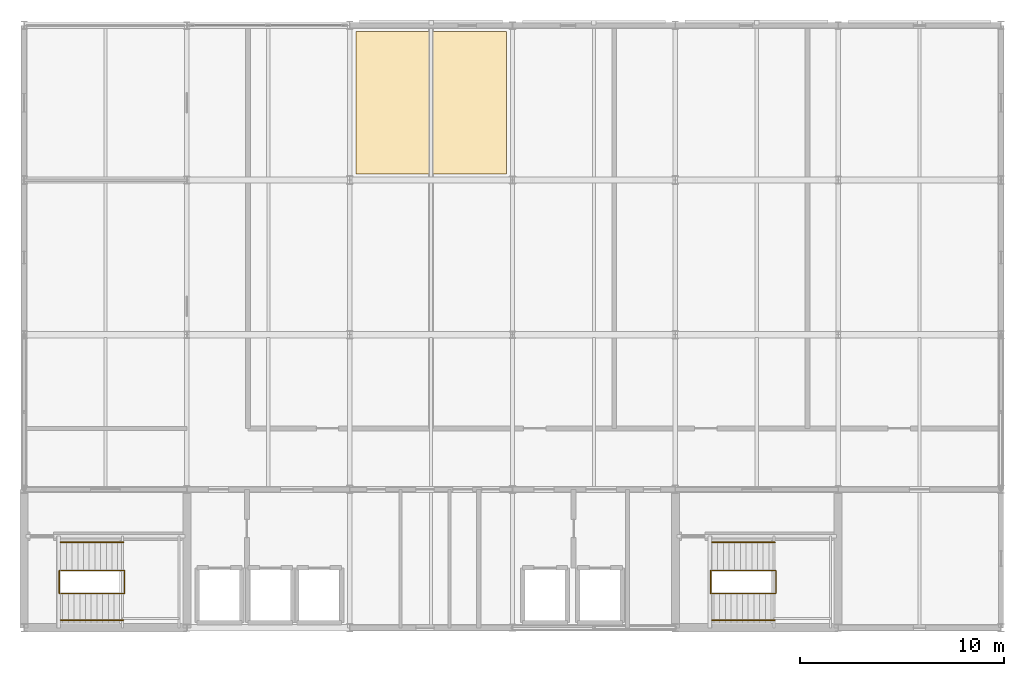
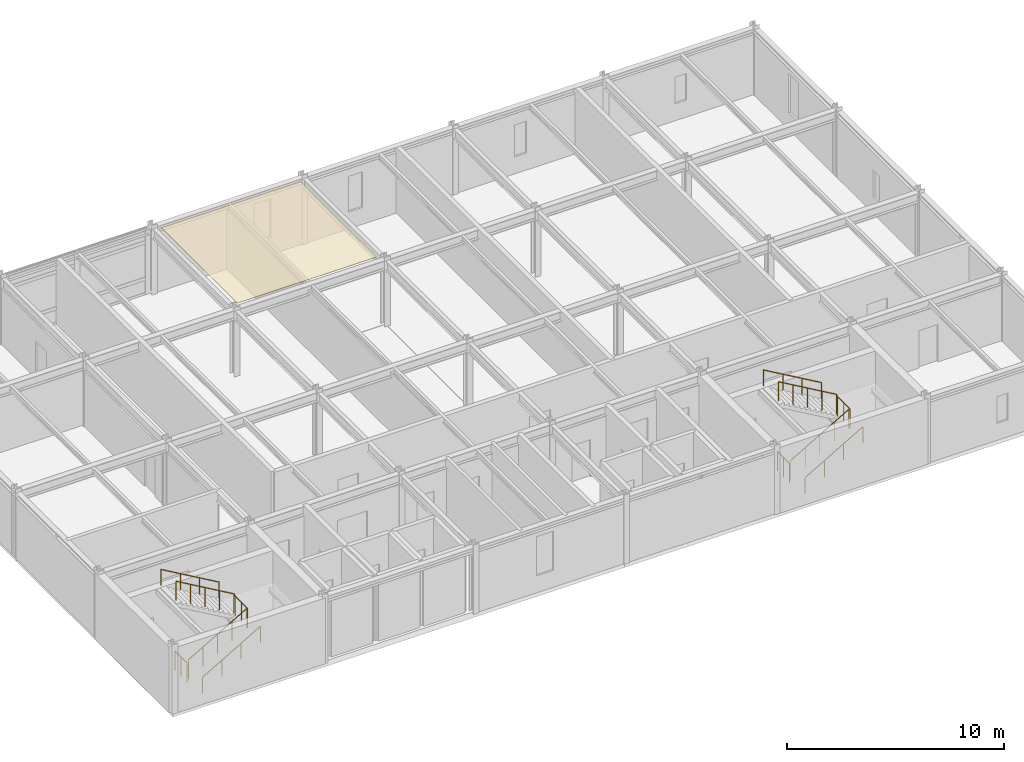
# One storey, part 9 of 9: 8 railings, 1 covering.
"""IFC4 building model written with IfcOpenShell, lengths in metres."""

from ifc_helpers import new_model, si_unit, direction, frame, origin, origin_2d, place, context, subcontext, project, spatial, polyline, circle, outline, extrude, material, layer, layer_set, type_object, element, save


model = new_model("IFC4")

# Units and contexts
model_context = context("Model", 3, precision=1e-05, world=origin(), true_north=direction((0.0, 1.0)))
body_context = subcontext(model_context, "Body", "Model", "MODEL_VIEW")
ifc_project = project(units=[si_unit("LENGTHUNIT", "METRE"), si_unit("AREAUNIT", "SQUARE_METRE"), si_unit("VOLUMEUNIT", "CUBIC_METRE"), si_unit("PLANEANGLEUNIT", "RADIAN"), si_unit("MASSUNIT", "GRAM", prefix="KILO")], contexts=[model_context])

# Site, building, storey
site_placement = place(None, origin())
site = spatial("IfcSite", under=ifc_project, at=site_placement, CompositionType="ELEMENT")
building_placement = place(site_placement, origin())
building = spatial("IfcBuilding", under=site, at=building_placement, Name="Shalkamar Park Central Library", CompositionType="ELEMENT")
storey_placement = place(building_placement, frame((0.0, 0.0, 63.89990234375)))
storey = spatial("IfcBuildingStorey", under=building, at=storey_placement, Name="L16", CompositionType="ELEMENT", Elevation=63.89990234375)

# Covering
ifc_material_1 = material(Name="Acoustic mineral fibre ceiling panel", Category="other")
ifc_layer = layer(ifc_material_1, 0.02490234375)
ifc_layer_set = layer_set([ifc_layer], Name="AcousticMineralCeilingTile")
covering_type = type_object("IfcCoveringType", Name="Acoustic Mineral Ceiling Tile", PredefinedType="CEILING", material=ifc_layer_set)
covering_placement = place(storey_placement, frame((0.0, 0.0, 3.675048828125)))
element("IfcCovering", 1, at=covering_placement, inside=storey, type_object=covering_type, Name="Acoustic Reading Ceiling Panel L16", PredefinedType="CEILING", context=body_context, shape_type="SweptSolid", body=[
    extrude(outline(polyline([(181.300048828125, 270.699951171875), (188.699951171875, 270.699951171875), (188.699951171875, 277.699951171875), (181.300048828125, 277.699951171875), (181.300048828125, 270.699951171875)])), origin(), (0.0, 0.0, 1.0), 0.025146484375),
])

# Railings
ifc_material_2 = material(Name="Steel S355", Category="steel")
railing_type_1 = type_object("IfcRailingType", Name="Stair Guardrail 1100", PredefinedType="GUARDRAIL", material=ifc_material_2)
railing_1_placement = place(storey_placement, frame((166.800048828125, 250.090087890625, 0.16259765625)))
element("IfcRailing", 2, at=railing_1_placement, inside=storey, type_object=railing_type_1, Name="Stair Inner Well Guardrail ST-T1-L16", PredefinedType="GUARDRAIL", context=body_context, shape_type="SweptSolid", body=[
    extrude(circle(Radius=0.02392578125, at=origin_2d()), frame((0.0, 0.0, 1.076171875), z_axis=(0.864873446163, 0.0, 0.501989962173), x_axis=(0.0, 1.0, 0.0)), (0.0, 0.0, 1.0), 3.56103515625),
    extrude(circle(Radius=0.02392578125, at=origin_2d()), frame((3.079833984375, 0.0, 2.86376953125), z_axis=(1.0, 0.0, 0.0), x_axis=(0.0, 1.0, 0.0)), (0.0, 0.0, 1.0), 0.06005859375),
    extrude(circle(Radius=0.02392578125, at=origin_2d()), frame((3.139892578125, 0.0, 2.86376953125), z_axis=(0.0, 1.0, 0.0), x_axis=(-1.0, 0.0, 0.0)), (0.0, 0.0, 1.0), 1.119873046875),
    extrude(circle(Radius=0.02392578125, at=origin_2d()), frame((3.139892578125, 1.119873046875, 2.86376953125), z_axis=(-0.346946854775, 0.0, 0.937884790346), x_axis=(0.0, -1.0, 0.0)), (0.0, 0.0, 1.0), 0.173095703125),
    extrude(circle(Radius=0.02392578125, at=origin_2d()), frame((3.079833984375, 1.119873046875, 3.02587890625), z_axis=(-0.864873446163, 0.0, 0.501989962173), x_axis=(0.0, -1.0, 0.0)), (0.0, 0.0, 1.0), 3.56103515625),
    extrude(circle(Radius=0.02099609375, at=origin_2d()), origin(), (0.0, 0.0, 1.0), 1.052001953125),
    extrude(circle(Radius=0.02099609375, at=origin_2d()), frame((0.77001953125, 0.0, 0.44677734375)), (0.0, 0.0, 1.0), 1.052001953125),
    extrude(circle(Radius=0.02099609375, at=origin_2d()), frame((1.5400390625, 0.0, 0.893798828125)), (0.0, 0.0, 1.0), 1.052001953125),
    extrude(circle(Radius=0.02099609375, at=origin_2d()), frame((2.309814453125, 0.0, 1.3408203125)), (0.0, 0.0, 1.0), 1.052001953125),
    extrude(circle(Radius=0.02099609375, at=origin_2d()), frame((3.079833984375, 0.0, 1.78759765625)), (0.0, 0.0, 1.0), 1.052001953125),
    extrude(circle(Radius=0.02099609375, at=origin_2d()), frame((3.139892578125, 0.0, 1.78759765625)), (0.0, 0.0, 1.0), 1.052001953125),
    extrude(circle(Radius=0.02099609375, at=origin_2d()), frame((3.139892578125, 0.56005859375, 1.78759765625)), (0.0, 0.0, 1.0), 1.052001953125),
    extrude(circle(Radius=0.02099609375, at=origin_2d()), frame((3.139892578125, 1.119873046875, 1.78759765625)), (0.0, 0.0, 1.0), 1.052001953125),
    extrude(circle(Radius=0.02099609375, at=origin_2d()), frame((3.079833984375, 1.119873046875, 1.949951171875)), (0.0, 0.0, 1.0), 1.052001953125),
    extrude(circle(Radius=0.02099609375, at=origin_2d()), frame((2.309814453125, 1.119873046875, 2.39697265625)), (0.0, 0.0, 1.0), 1.052001953125),
    extrude(circle(Radius=0.02099609375, at=origin_2d()), frame((1.5400390625, 1.119873046875, 2.84375)), (0.0, 0.0, 1.0), 1.052001953125),
    extrude(circle(Radius=0.02099609375, at=origin_2d()), frame((0.77001953125, 1.119873046875, 3.29052734375)), (0.0, 0.0, 1.0), 1.052001953125),
    extrude(circle(Radius=0.02099609375, at=origin_2d()), frame((0.0, 1.119873046875, 3.737548828125)), (0.0, 0.0, 1.0), 1.052001953125),
])
railing_2_placement = place(storey_placement, frame((166.739990234375, 250.10009765625, 0.0)))
element("IfcRailing", 3, at=railing_2_placement, inside=storey, type_object=railing_type_1, Name="Stair Arrival Well Guardrail ST-T1 (L16)", PredefinedType="GUARDRAIL", context=body_context, shape_type="SweptSolid", body=[
    extrude(circle(Radius=0.02392578125, at=origin_2d()), frame((0.0, 0.0, 1.076171875), z_axis=(0.0, 1.0, 0.0), x_axis=(-1.0, 0.0, 0.0)), (0.0, 0.0, 1.0), 1.099853515625),
    extrude(circle(Radius=0.02099609375, at=origin_2d()), origin(), (0.0, 0.0, 1.0), 1.052001953125),
    extrude(circle(Radius=0.02099609375, at=origin_2d()), frame((0.0, 0.5498046875, 0.0)), (0.0, 0.0, 1.0), 1.052001953125),
    extrude(circle(Radius=0.02099609375, at=origin_2d()), frame((0.0, 1.099853515625, 0.0)), (0.0, 0.0, 1.0), 1.052001953125),
])
railing_3_placement = place(storey_placement, frame((198.800048828125, 250.090087890625, 0.16259765625)))
element("IfcRailing", 4, at=railing_3_placement, inside=storey, type_object=railing_type_1, Name="Stair Inner Well Guardrail ST-T2-L16", PredefinedType="GUARDRAIL", context=body_context, shape_type="SweptSolid", body=[
    extrude(circle(Radius=0.02392578125, at=origin_2d()), frame((0.0, 0.0, 1.076171875), z_axis=(0.864873446163, 0.0, 0.501989962173), x_axis=(0.0, 1.0, 0.0)), (0.0, 0.0, 1.0), 3.56103515625),
    extrude(circle(Radius=0.02392578125, at=origin_2d()), frame((3.079833984375, 0.0, 2.86376953125), z_axis=(1.0, 0.0, 0.0), x_axis=(0.0, 1.0, 0.0)), (0.0, 0.0, 1.0), 0.06005859375),
    extrude(circle(Radius=0.02392578125, at=origin_2d()), frame((3.139892578125, 0.0, 2.86376953125), z_axis=(0.0, 1.0, 0.0), x_axis=(-1.0, 0.0, 0.0)), (0.0, 0.0, 1.0), 1.119873046875),
    extrude(circle(Radius=0.02392578125, at=origin_2d()), frame((3.139892578125, 1.119873046875, 2.86376953125), z_axis=(-0.346946854775, 0.0, 0.937884790346), x_axis=(0.0, -1.0, 0.0)), (0.0, 0.0, 1.0), 0.173095703125),
    extrude(circle(Radius=0.02392578125, at=origin_2d()), frame((3.079833984375, 1.119873046875, 3.02587890625), z_axis=(-0.864873446163, 0.0, 0.501989962173), x_axis=(0.0, -1.0, 0.0)), (0.0, 0.0, 1.0), 3.56103515625),
    extrude(circle(Radius=0.02099609375, at=origin_2d()), origin(), (0.0, 0.0, 1.0), 1.052001953125),
    extrude(circle(Radius=0.02099609375, at=origin_2d()), frame((0.77001953125, 0.0, 0.44677734375)), (0.0, 0.0, 1.0), 1.052001953125),
    extrude(circle(Radius=0.02099609375, at=origin_2d()), frame((1.5400390625, 0.0, 0.893798828125)), (0.0, 0.0, 1.0), 1.052001953125),
    extrude(circle(Radius=0.02099609375, at=origin_2d()), frame((2.309814453125, 0.0, 1.3408203125)), (0.0, 0.0, 1.0), 1.052001953125),
    extrude(circle(Radius=0.02099609375, at=origin_2d()), frame((3.079833984375, 0.0, 1.78759765625)), (0.0, 0.0, 1.0), 1.052001953125),
    extrude(circle(Radius=0.02099609375, at=origin_2d()), frame((3.139892578125, 0.0, 1.78759765625)), (0.0, 0.0, 1.0), 1.052001953125),
    extrude(circle(Radius=0.02099609375, at=origin_2d()), frame((3.139892578125, 0.56005859375, 1.78759765625)), (0.0, 0.0, 1.0), 1.052001953125),
    extrude(circle(Radius=0.02099609375, at=origin_2d()), frame((3.139892578125, 1.119873046875, 1.78759765625)), (0.0, 0.0, 1.0), 1.052001953125),
    extrude(circle(Radius=0.02099609375, at=origin_2d()), frame((3.079833984375, 1.119873046875, 1.949951171875)), (0.0, 0.0, 1.0), 1.052001953125),
    extrude(circle(Radius=0.02099609375, at=origin_2d()), frame((2.309814453125, 1.119873046875, 2.39697265625)), (0.0, 0.0, 1.0), 1.052001953125),
    extrude(circle(Radius=0.02099609375, at=origin_2d()), frame((1.5400390625, 1.119873046875, 2.84375)), (0.0, 0.0, 1.0), 1.052001953125),
    extrude(circle(Radius=0.02099609375, at=origin_2d()), frame((0.77001953125, 1.119873046875, 3.29052734375)), (0.0, 0.0, 1.0), 1.052001953125),
    extrude(circle(Radius=0.02099609375, at=origin_2d()), frame((0.0, 1.119873046875, 3.737548828125)), (0.0, 0.0, 1.0), 1.052001953125),
])
railing_4_placement = place(storey_placement, frame((198.739990234375, 250.10009765625, 0.0)))
element("IfcRailing", 5, at=railing_4_placement, inside=storey, type_object=railing_type_1, Name="Stair Arrival Well Guardrail ST-T2 (L16)", PredefinedType="GUARDRAIL", context=body_context, shape_type="SweptSolid", body=[
    extrude(circle(Radius=0.02392578125, at=origin_2d()), frame((0.0, 0.0, 1.076171875), z_axis=(0.0, 1.0, 0.0), x_axis=(-1.0, 0.0, 0.0)), (0.0, 0.0, 1.0), 1.099853515625),
    extrude(circle(Radius=0.02099609375, at=origin_2d()), origin(), (0.0, 0.0, 1.0), 1.052001953125),
    extrude(circle(Radius=0.02099609375, at=origin_2d()), frame((0.0, 0.5498046875, 0.0)), (0.0, 0.0, 1.0), 1.052001953125),
    extrude(circle(Radius=0.02099609375, at=origin_2d()), frame((0.0, 1.099853515625, 0.0)), (0.0, 0.0, 1.0), 1.052001953125),
])
railing_type_2 = type_object("IfcRailingType", Name="Stair Pitched Handrail 920", PredefinedType="HANDRAIL", material=ifc_material_2)
railing_5_placement = place(storey_placement, frame((166.800048828125, 248.780029296875, 0.16259765625)))
element("IfcRailing", 6, at=railing_5_placement, inside=storey, type_object=railing_type_2, Name="Stair Wall Handrail ST-T1-L16 Flight 1", PredefinedType="HANDRAIL", context=body_context, shape_type="SweptSolid", body=[
    extrude(circle(Radius=0.02392578125, at=origin_2d()), frame((0.0, 0.0, 0.89599609375), z_axis=(0.864873446163, 0.0, 0.501989962173), x_axis=(0.0, 1.0, 0.0)), (0.0, 0.0, 1.0), 3.56103515625),
    extrude(circle(Radius=0.02099609375, at=origin_2d()), origin(), (0.0, 0.0, 1.0), 0.871826171875),
    extrude(circle(Radius=0.02099609375, at=origin_2d()), frame((1.026611328125, 0.0, 0.595947265625)), (0.0, 0.0, 1.0), 0.871826171875),
    extrude(circle(Radius=0.02099609375, at=origin_2d()), frame((2.05322265625, 0.0, 1.191650390625)), (0.0, 0.0, 1.0), 0.871826171875),
    extrude(circle(Radius=0.02099609375, at=origin_2d()), frame((3.079833984375, 0.0, 1.78759765625)), (0.0, 0.0, 1.0), 0.871826171875),
])
railing_6_placement = place(storey_placement, frame((169.8798828125, 252.60009765625, 2.112548828125)))
element("IfcRailing", 7, at=railing_6_placement, inside=storey, type_object=railing_type_2, Name="Stair Wall Handrail ST-T1-L16 Flight 2", PredefinedType="HANDRAIL", context=body_context, shape_type="SweptSolid", body=[
    extrude(circle(Radius=0.02392578125, at=origin_2d()), frame((0.0, 0.0, 0.89599609375), z_axis=(-0.864873446163, 0.0, 0.501989962173), x_axis=(0.0, -1.0, 0.0)), (0.0, 0.0, 1.0), 3.56103515625),
    extrude(circle(Radius=0.02099609375, at=origin_2d()), origin(), (0.0, 0.0, 1.0), 0.871826171875),
    extrude(circle(Radius=0.02099609375, at=origin_2d()), frame((-1.026611328125, 0.0, 0.595947265625)), (0.0, 0.0, 1.0), 0.871826171875),
    extrude(circle(Radius=0.02099609375, at=origin_2d()), frame((-2.05322265625, 0.0, 1.191650390625)), (0.0, 0.0, 1.0), 0.871826171875),
    extrude(circle(Radius=0.02099609375, at=origin_2d()), frame((-3.079833984375, 0.0, 1.78759765625)), (0.0, 0.0, 1.0), 0.871826171875),
])
railing_7_placement = place(storey_placement, frame((198.800048828125, 248.780029296875, 0.16259765625)))
element("IfcRailing", 8, at=railing_7_placement, inside=storey, type_object=railing_type_2, Name="Stair Wall Handrail ST-T2-L16 Flight 1", PredefinedType="HANDRAIL", context=body_context, shape_type="SweptSolid", body=[
    extrude(circle(Radius=0.02392578125, at=origin_2d()), frame((0.0, 0.0, 0.89599609375), z_axis=(0.864873446163, 0.0, 0.501989962173), x_axis=(0.0, 1.0, 0.0)), (0.0, 0.0, 1.0), 3.56103515625),
    extrude(circle(Radius=0.02099609375, at=origin_2d()), origin(), (0.0, 0.0, 1.0), 0.871826171875),
    extrude(circle(Radius=0.02099609375, at=origin_2d()), frame((1.026611328125, 0.0, 0.595947265625)), (0.0, 0.0, 1.0), 0.871826171875),
    extrude(circle(Radius=0.02099609375, at=origin_2d()), frame((2.05322265625, 0.0, 1.191650390625)), (0.0, 0.0, 1.0), 0.871826171875),
    extrude(circle(Radius=0.02099609375, at=origin_2d()), frame((3.079833984375, 0.0, 1.78759765625)), (0.0, 0.0, 1.0), 0.871826171875),
])
railing_8_placement = place(storey_placement, frame((201.8798828125, 252.60009765625, 2.112548828125)))
element("IfcRailing", 9, at=railing_8_placement, inside=storey, type_object=railing_type_2, Name="Stair Wall Handrail ST-T2-L16 Flight 2", PredefinedType="HANDRAIL", context=body_context, shape_type="SweptSolid", body=[
    extrude(circle(Radius=0.02392578125, at=origin_2d()), frame((0.0, 0.0, 0.89599609375), z_axis=(-0.864873446163, 0.0, 0.501989962173), x_axis=(0.0, -1.0, 0.0)), (0.0, 0.0, 1.0), 3.56103515625),
    extrude(circle(Radius=0.02099609375, at=origin_2d()), origin(), (0.0, 0.0, 1.0), 0.871826171875),
    extrude(circle(Radius=0.02099609375, at=origin_2d()), frame((-1.026611328125, 0.0, 0.595947265625)), (0.0, 0.0, 1.0), 0.871826171875),
    extrude(circle(Radius=0.02099609375, at=origin_2d()), frame((-2.05322265625, 0.0, 1.191650390625)), (0.0, 0.0, 1.0), 0.871826171875),
    extrude(circle(Radius=0.02099609375, at=origin_2d()), frame((-3.079833984375, 0.0, 1.78759765625)), (0.0, 0.0, 1.0), 0.871826171875),
])

save(model, "model.ifc")
